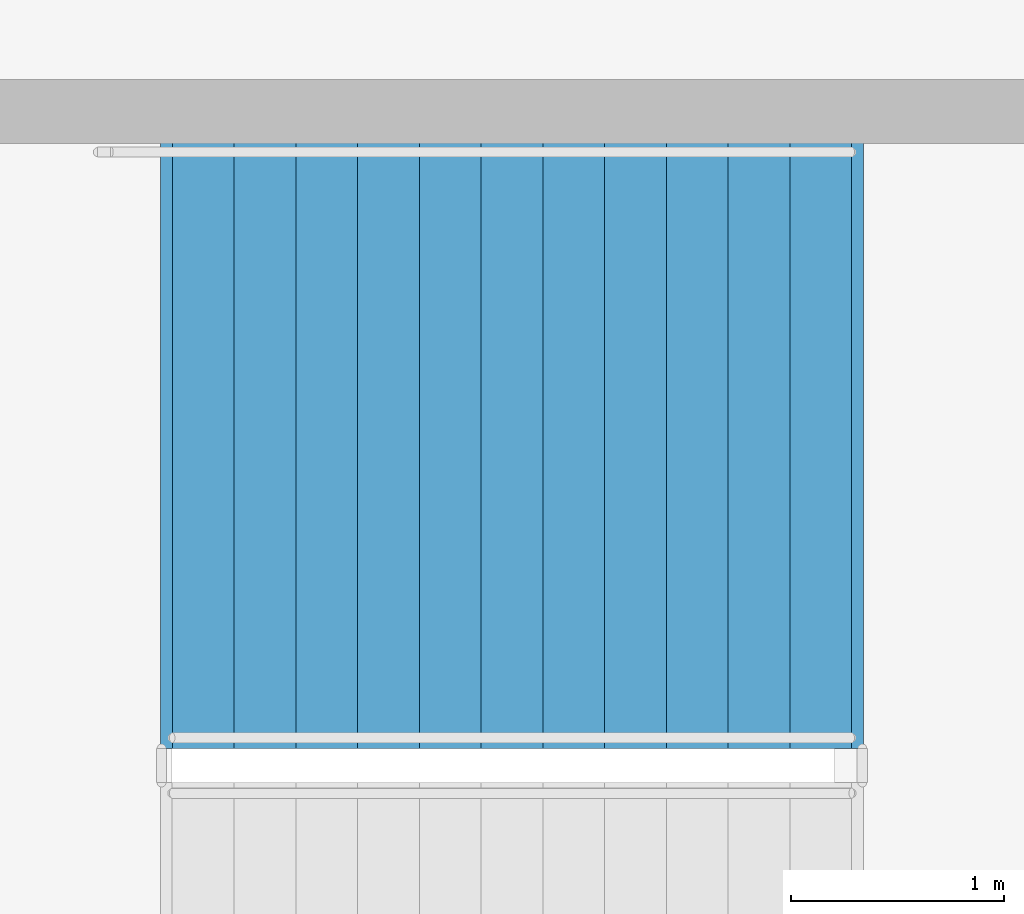
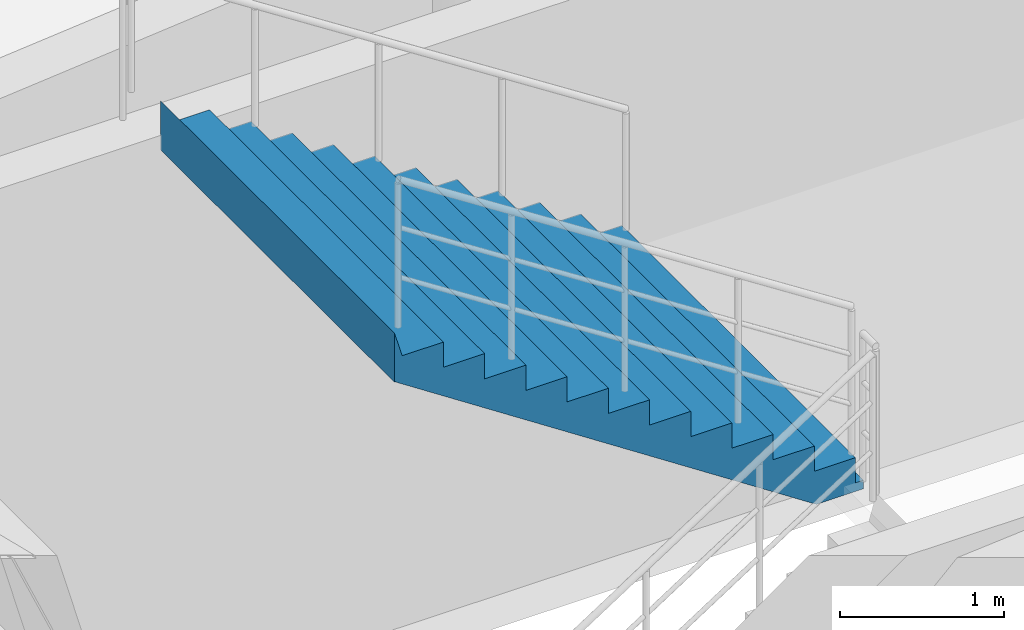
# One storey, part 97 of 112: 1 stair flight, 1 element without a shape of its own.
"""IFC4 building model written with IfcOpenShell, lengths in metres."""

from ifc_helpers import new_model, si_unit, direction, frame, origin, place, context, subcontext, project, spatial, polyline, outline, extrude, material, type_object, element, aggregate, save


model = new_model("IFC4")

# Units and contexts
model_context = context("Model", 3, precision=1e-05, world=origin(), true_north=direction((0.0, 1.0)))
body_context = subcontext(model_context, "Body", "Model", "MODEL_VIEW")
ifc_project = project(units=[si_unit("LENGTHUNIT", "METRE"), si_unit("AREAUNIT", "SQUARE_METRE"), si_unit("VOLUMEUNIT", "CUBIC_METRE"), si_unit("PLANEANGLEUNIT", "RADIAN"), si_unit("MASSUNIT", "GRAM", prefix="KILO")], contexts=[model_context])

# Site, building, storey
site_placement = place(None, origin())
site = spatial("IfcSite", under=ifc_project, at=site_placement, CompositionType="ELEMENT")
building_placement = place(site_placement, origin())
building = spatial("IfcBuilding", under=site, at=building_placement, Name="Cinderbank Siding Concert Hall", CompositionType="ELEMENT")
storey_placement = place(building_placement, frame((0.0, 0.0, 10.199951171875)))
storey = spatial("IfcBuildingStorey", under=building, at=storey_placement, Name="L03", CompositionType="ELEMENT", Elevation=10.199951171875)

# Stair, stair flight
ifc_material = material(Name="Reinforced concrete AS 3600 N50 (50 MPa)", Category="concrete")
stair_type = type_object("IfcStairType", Name="STR-J Dogleg Exit Stair 2850mm", PredefinedType="HALF_TURN_STAIR", material=ifc_material)
stair_placement = place(storey_placement, origin())
stair = element("IfcStair", 1, at=stair_placement, inside=storey, type_object=stair_type, Name="L03 Fire-isolated Exit Stair ST-01", PredefinedType="HALF_TURN_STAIR")
stair_flight_type = type_object("IfcStairFlightType", Name="SFL-J Concrete Stair Flight 2850mm", PredefinedType="STRAIGHT", material=ifc_material)
stair_flight_placement = place(storey_placement, frame((122.340087890625, 63.18505859375, 2.25), z_axis=(0.0, 0.0, 1.0), x_axis=(-1.0, 0.0, 0.0)))
stair_flight = element("IfcStairFlight", 2, at=stair_flight_placement, type_object=stair_flight_type, Name="ST-01 flight 2", NumberOfRisers=12, NumberOfTreads=11, PredefinedType="STRAIGHT", RiserHeight=0.1875, TreadLength=0.29, context=body_context, shape_type="SweptSolid", body=[
    extrude(outline(polyline([(0.0, 0.0), (0.0, 0.1875), (0.2900390625, 0.1875), (0.2900390625, 0.375), (0.580078125, 0.375), (0.580078125, 0.5625), (0.8701171875, 0.5625), (0.8701171875, 0.75), (1.159912109375, 0.75), (1.159912109375, 0.9375), (1.449951171875, 0.9375), (1.449951171875, 1.125), (1.739990234375, 1.125), (1.739990234375, 1.3125), (2.030029296875, 1.3125), (2.030029296875, 1.5), (2.320068359375, 1.5), (2.320068359375, 1.6875), (2.610107421875, 1.6875), (2.610107421875, 1.875), (2.89990234375, 1.875), (2.89990234375, 2.0625), (3.18994140625, 2.0625), (3.244873046875, 2.25), (3.244873046875, 1.884033203125), (3.24462890625, 1.88427734375), (3.24462890625, 1.884521484375), (3.24462890625, 1.884765625), (3.24462890625, 1.885009765625), (3.24462890625, 1.88525390625), (3.24462890625, 1.885498046875), (3.24462890625, 1.8857421875), (3.24462890625, 1.885986328125), (3.24462890625, 1.88623046875), (3.24462890625, 1.886474609375), (3.24462890625, 1.88671875), (3.24462890625, 1.886962890625), (3.244384765625, 1.886962890625), (3.244384765625, 1.88671875), (3.244384765625, 1.886474609375), (3.244384765625, 1.88623046875), (3.244384765625, 1.885986328125), (3.244384765625, 1.8857421875), (3.244384765625, 1.885498046875), (3.244384765625, 1.88525390625), (3.244384765625, 1.885009765625), (3.244384765625, 1.884765625), (3.244384765625, 1.884521484375), (3.244384765625, 1.88427734375), (3.244384765625, 1.884033203125), (3.244140625, 1.88427734375), (3.244140625, 1.884521484375), (3.244140625, 1.884765625), (3.244140625, 1.885009765625), (3.244140625, 1.88525390625), (3.244140625, 1.885498046875), (3.244140625, 1.8857421875), (3.244140625, 1.885986328125), (3.244140625, 1.88623046875), (3.244140625, 1.886474609375), (3.244140625, 1.88671875), (3.244140625, 1.886962890625), (3.243896484375, 1.886962890625), (3.243896484375, 1.88671875), (3.243896484375, 1.886474609375), (3.243896484375, 1.88623046875), (3.243896484375, 1.885986328125), (3.243896484375, 1.8857421875), (3.243896484375, 1.885498046875), (3.243896484375, 1.88525390625), (3.243896484375, 1.885009765625), (3.243896484375, 1.884765625), (3.243896484375, 1.884521484375), (3.243896484375, 1.88427734375), (3.243896484375, 1.884033203125), (3.24365234375, 1.88427734375), (3.24365234375, 1.884521484375), (3.24365234375, 1.884765625), (3.24365234375, 1.885009765625), (3.24365234375, 1.88525390625), (3.24365234375, 1.885498046875), (3.24365234375, 1.8857421875), (3.24365234375, 1.885986328125), (3.24365234375, 1.88623046875), (3.24365234375, 1.886474609375), (3.24365234375, 1.88671875), (3.24365234375, 1.886962890625), (3.243408203125, 1.886962890625), (3.243408203125, 1.88671875), (3.243408203125, 1.886474609375), (3.243408203125, 1.88623046875), (3.243408203125, 1.885986328125), (3.243408203125, 1.8857421875), (3.243408203125, 1.885498046875), (3.243408203125, 1.88525390625), (3.243408203125, 1.885009765625), (3.243408203125, 1.884765625), (3.243408203125, 1.884521484375), (3.243408203125, 1.88427734375), (3.243408203125, 1.884033203125), (3.2431640625, 1.88427734375), (3.2431640625, 1.884521484375), (3.2431640625, 1.884765625), (3.2431640625, 1.885009765625), (3.2431640625, 1.88525390625), (3.2431640625, 1.885498046875), (3.2431640625, 1.8857421875), (3.2431640625, 1.885986328125), (3.2431640625, 1.88623046875), (3.2431640625, 1.886474609375), (3.2431640625, 1.88671875), (3.2431640625, 1.886962890625), (3.242919921875, 1.886962890625), (3.242919921875, 1.88671875), (3.242919921875, 1.886474609375), (3.242919921875, 1.88623046875), (3.242919921875, 1.885986328125), (3.242919921875, 1.8857421875), (3.242919921875, 1.885498046875), (3.242919921875, 1.88525390625), (3.242919921875, 1.885009765625), (3.242919921875, 1.884765625), (3.242919921875, 1.884521484375), (3.242919921875, 1.88427734375), (3.242919921875, 1.884033203125), (3.24267578125, 1.88427734375), (3.24267578125, 1.884521484375), (3.24267578125, 1.884765625), (3.24267578125, 1.885009765625), (3.24267578125, 1.88525390625), (3.24267578125, 1.885498046875), (3.24267578125, 1.8857421875), (3.24267578125, 1.885986328125), (3.24267578125, 1.88623046875), (3.24267578125, 1.886474609375), (3.24267578125, 1.88671875), (3.24267578125, 1.886962890625), (3.242431640625, 1.886962890625), (3.242431640625, 1.88671875), (3.242431640625, 1.886474609375), (3.242431640625, 1.88623046875), (3.242431640625, 1.885986328125), (3.242431640625, 1.8857421875), (3.242431640625, 1.885498046875), (3.242431640625, 1.88525390625), (3.242431640625, 1.885009765625), (3.242431640625, 1.884765625), (3.242431640625, 1.884521484375), (3.242431640625, 1.88427734375), (3.242431640625, 1.884033203125), (3.2421875, 1.88427734375), (3.2421875, 1.884521484375), (3.2421875, 1.884765625), (3.2421875, 1.885009765625), (3.2421875, 1.88525390625), (3.2421875, 1.885498046875), (3.2421875, 1.8857421875), (3.2421875, 1.885986328125), (3.2421875, 1.88623046875), (3.2421875, 1.886474609375), (3.2421875, 1.88671875), (3.2421875, 1.886962890625), (3.241943359375, 1.886962890625), (3.241943359375, 1.88671875), (3.241943359375, 1.886474609375), (3.241943359375, 1.88623046875), (3.241943359375, 1.885986328125), (3.241943359375, 1.8857421875), (3.241943359375, 1.885498046875), (3.241943359375, 1.88525390625), (3.241943359375, 1.885009765625), (3.241943359375, 1.884765625), (3.241943359375, 1.884521484375), (3.241943359375, 1.88427734375), (3.241943359375, 1.884033203125), (3.24169921875, 1.88427734375), (3.24169921875, 1.884521484375), (3.24169921875, 1.884765625), (3.24169921875, 1.885009765625), (3.24169921875, 1.88525390625), (3.24169921875, 1.885498046875), (3.24169921875, 1.8857421875), (3.24169921875, 1.885986328125), (3.24169921875, 1.88623046875), (3.24169921875, 1.886474609375), (3.24169921875, 1.88671875), (3.24169921875, 1.886962890625), (3.241455078125, 1.886962890625), (3.241455078125, 1.88671875), (3.241455078125, 1.886474609375), (3.241455078125, 1.88623046875), (3.241455078125, 1.885986328125), (3.241455078125, 1.8857421875), (3.241455078125, 1.885498046875), (3.241455078125, 1.88525390625), (3.241455078125, 1.885009765625), (3.241455078125, 1.884765625), (3.241455078125, 1.884521484375), (3.241455078125, 1.88427734375), (3.241455078125, 1.884033203125), (3.2412109375, 1.88427734375), (3.2412109375, 1.884521484375), (3.2412109375, 1.884765625), (3.2412109375, 1.885009765625), (3.2412109375, 1.88525390625), (3.2412109375, 1.885498046875), (3.2412109375, 1.8857421875), (3.2412109375, 1.885986328125), (3.2412109375, 1.88623046875), (3.2412109375, 1.886474609375), (3.2412109375, 1.88671875), (3.2412109375, 1.886962890625), (3.240966796875, 1.886962890625), (3.240966796875, 1.88671875), (3.240966796875, 1.886474609375), (3.240966796875, 1.88623046875), (3.240966796875, 1.885986328125), (3.240966796875, 1.8857421875), (3.240966796875, 1.885498046875), (3.240966796875, 1.88525390625), (3.240966796875, 1.885009765625), (3.240966796875, 1.884765625), (3.240966796875, 1.884521484375), (3.240966796875, 1.88427734375), (3.240966796875, 1.884033203125), (3.24072265625, 1.88427734375), (3.24072265625, 1.884521484375), (3.24072265625, 1.884765625), (3.24072265625, 1.885009765625), (3.24072265625, 1.88525390625), (3.24072265625, 1.885498046875), (3.24072265625, 1.8857421875), (3.24072265625, 1.885986328125), (3.24072265625, 1.88623046875), (3.24072265625, 1.886474609375), (3.24072265625, 1.88671875), (3.24072265625, 1.886962890625), (3.240478515625, 1.886962890625), (3.240478515625, 1.88671875), (3.240478515625, 1.886474609375), (3.240478515625, 1.88623046875), (3.240478515625, 1.885986328125), (3.240478515625, 1.8857421875), (3.240478515625, 1.885498046875), (3.240478515625, 1.88525390625), (3.240478515625, 1.885009765625), (3.240478515625, 1.884765625), (3.240478515625, 1.884521484375), (3.240478515625, 1.88427734375), (3.240478515625, 1.884033203125), (3.240234375, 1.88427734375), (3.240234375, 1.884521484375), (3.240234375, 1.884765625), (3.240234375, 1.885009765625), (3.240234375, 1.88525390625), (3.240234375, 1.885498046875), (3.240234375, 1.8857421875), (3.240234375, 1.885986328125), (3.240234375, 1.88623046875), (3.240234375, 1.886474609375), (3.240234375, 1.88671875), (3.240234375, 1.886962890625), (3.239990234375, 1.886962890625), (3.239990234375, 1.88671875), (3.239990234375, 1.886474609375), (3.239990234375, 1.88623046875), (3.239990234375, 1.885986328125), (3.239990234375, 1.8857421875), (3.239990234375, 1.885498046875), (3.239990234375, 1.88525390625), (3.239990234375, 1.885009765625), (3.239990234375, 1.884765625), (3.239990234375, 1.884521484375), (3.239990234375, 1.88427734375), (3.239990234375, 1.884033203125), (3.23974609375, 1.88427734375), (3.23974609375, 1.884521484375), (3.23974609375, 1.884765625), (3.23974609375, 1.885009765625), (3.23974609375, 1.88525390625), (3.23974609375, 1.885498046875), (3.23974609375, 1.8857421875), (3.23974609375, 1.885986328125), (3.23974609375, 1.88623046875), (3.23974609375, 1.886474609375), (3.23974609375, 1.88671875), (3.23974609375, 1.886962890625), (3.239501953125, 1.886962890625), (3.239501953125, 1.88671875), (3.239501953125, 1.886474609375), (3.239501953125, 1.88623046875), (3.239501953125, 1.885986328125), (3.239501953125, 1.8857421875), (3.239501953125, 1.885498046875), (3.239501953125, 1.88525390625), (3.239501953125, 1.885009765625), (3.239501953125, 1.884765625), (3.239501953125, 1.884521484375), (3.239501953125, 1.88427734375), (3.239501953125, 1.884033203125), (3.2392578125, 1.88427734375), (3.2392578125, 1.884521484375), (3.2392578125, 1.884765625), (3.2392578125, 1.885009765625), (3.2392578125, 1.88525390625), (3.2392578125, 1.885498046875), (3.2392578125, 1.8857421875), (3.2392578125, 1.885986328125), (3.2392578125, 1.88623046875), (3.2392578125, 1.886474609375), (3.2392578125, 1.88671875), (3.2392578125, 1.886962890625), (3.239013671875, 1.886962890625), (3.239013671875, 1.88671875), (3.239013671875, 1.886474609375), (3.239013671875, 1.88623046875), (3.239013671875, 1.885986328125), (3.239013671875, 1.8857421875), (3.239013671875, 1.885498046875), (3.239013671875, 1.88525390625), (3.239013671875, 1.885009765625), (3.239013671875, 1.884765625), (3.239013671875, 1.884521484375), (3.239013671875, 1.88427734375), (3.239013671875, 1.884033203125), (3.23876953125, 1.88427734375), (3.23876953125, 1.884521484375), (3.23876953125, 1.884765625), (3.23876953125, 1.885009765625), (3.23876953125, 1.88525390625), (3.23876953125, 1.885498046875), (3.23876953125, 1.8857421875), (3.23876953125, 1.885986328125), (3.23876953125, 1.88623046875), (3.23876953125, 1.886474609375), (3.23876953125, 1.88671875), (3.23876953125, 1.886962890625), (3.238525390625, 1.886962890625), (3.238525390625, 1.88671875), (3.238525390625, 1.886474609375), (3.238525390625, 1.88623046875), (3.238525390625, 1.885986328125), (3.238525390625, 1.8857421875), (3.238525390625, 1.885498046875), (3.238525390625, 1.88525390625), (3.238525390625, 1.885009765625), (3.238525390625, 1.884765625), (3.238525390625, 1.884521484375), (3.238525390625, 1.88427734375), (3.238525390625, 1.884033203125), (0.276123046875, -0.06396484375), (-0.048583984375, -0.063720703125), (-0.048583984375, -0.0634765625), (-0.048583984375, -0.063232421875), (-0.048583984375, -0.06298828125), (-0.048583984375, -0.062744140625), (-0.048583984375, -0.0625), (-0.048583984375, -0.062255859375), (-0.048583984375, -0.06201171875), (-0.048583984375, -0.061767578125), (-0.048583984375, -0.0615234375), (-0.048583984375, -0.061279296875), (-0.048583984375, -0.06103515625), (-0.048828125, -0.06103515625), (-0.048828125, -0.061279296875), (-0.048828125, -0.0615234375), (-0.048828125, -0.061767578125), (-0.048828125, -0.06201171875), (-0.048828125, -0.062255859375), (-0.048828125, -0.0625), (-0.048828125, -0.062744140625), (-0.048828125, -0.06298828125), (-0.048828125, -0.063232421875), (-0.048828125, -0.0634765625), (-0.048828125, -0.063720703125), (-0.048828125, -0.06396484375), (-0.049072265625, -0.063720703125), (-0.049072265625, -0.0634765625), (-0.049072265625, -0.063232421875), (-0.049072265625, -0.06298828125), (-0.049072265625, -0.062744140625), (-0.049072265625, -0.0625), (-0.049072265625, -0.062255859375), (-0.049072265625, -0.06201171875), (-0.049072265625, -0.061767578125), (-0.049072265625, -0.0615234375), (-0.049072265625, -0.061279296875), (-0.049072265625, -0.06103515625), (-0.04931640625, -0.06103515625), (-0.04931640625, -0.061279296875), (-0.04931640625, -0.0615234375), (-0.04931640625, -0.061767578125), (-0.04931640625, -0.06201171875), (-0.04931640625, -0.062255859375), (-0.04931640625, -0.0625), (-0.04931640625, -0.062744140625), (-0.04931640625, -0.06298828125), (-0.04931640625, -0.063232421875), (-0.04931640625, -0.0634765625), (-0.04931640625, -0.063720703125), (-0.04931640625, -0.06396484375), (-0.049560546875, -0.063720703125), (-0.049560546875, -0.0634765625), (-0.049560546875, -0.063232421875), (-0.049560546875, -0.06298828125), (-0.049560546875, -0.062744140625), (-0.049560546875, -0.0625), (-0.049560546875, -0.062255859375), (-0.049560546875, -0.06201171875), (-0.049560546875, -0.061767578125), (-0.049560546875, -0.0615234375), (-0.049560546875, -0.061279296875), (-0.049560546875, -0.06103515625), (-0.0498046875, -0.06103515625), (-0.0498046875, -0.061279296875), (-0.0498046875, -0.0615234375), (-0.0498046875, -0.061767578125), (-0.0498046875, -0.06201171875), (-0.0498046875, -0.062255859375), (-0.0498046875, -0.0625), (-0.0498046875, -0.062744140625), (-0.0498046875, -0.06298828125), (-0.0498046875, -0.063232421875), (-0.0498046875, -0.0634765625), (-0.0498046875, -0.063720703125), (-0.0498046875, -0.06396484375), (-0.050048828125, -0.063720703125), (-0.050048828125, -0.0634765625), (-0.050048828125, -0.063232421875), (-0.050048828125, -0.06298828125), (-0.050048828125, -0.062744140625), (-0.050048828125, -0.0625), (-0.050048828125, -0.062255859375), (-0.050048828125, -0.06201171875), (-0.050048828125, -0.061767578125), (-0.050048828125, -0.0615234375), (-0.050048828125, -0.061279296875), (-0.050048828125, -0.06103515625), (-0.05029296875, -0.06103515625), (-0.05029296875, -0.061279296875), (-0.05029296875, -0.0615234375), (-0.05029296875, -0.061767578125), (-0.05029296875, -0.06201171875), (-0.05029296875, -0.062255859375), (-0.05029296875, -0.0625), (-0.05029296875, -0.062744140625), (-0.05029296875, -0.06298828125), (-0.05029296875, -0.063232421875), (-0.05029296875, -0.0634765625), (-0.05029296875, -0.063720703125), (-0.05029296875, -0.06396484375), (-0.050537109375, -0.063720703125), (-0.050537109375, -0.0634765625), (-0.050537109375, -0.063232421875), (-0.050537109375, -0.06298828125), (-0.050537109375, -0.062744140625), (-0.050537109375, -0.0625), (-0.050537109375, -0.062255859375), (-0.050537109375, -0.06201171875), (-0.050537109375, -0.061767578125), (-0.050537109375, -0.0615234375), (-0.050537109375, -0.061279296875), (-0.050537109375, -0.06103515625), (-0.05078125, -0.06103515625), (-0.05078125, -0.061279296875), (-0.05078125, -0.0615234375), (-0.05078125, -0.061767578125), (-0.05078125, -0.06201171875), (-0.05078125, -0.062255859375), (-0.05078125, -0.0625), (-0.05078125, -0.062744140625), (-0.05078125, -0.06298828125), (-0.05078125, -0.063232421875), (-0.05078125, -0.0634765625), (-0.05078125, -0.063720703125), (-0.05078125, -0.06396484375), (-0.051025390625, -0.063720703125), (-0.051025390625, -0.0634765625), (-0.051025390625, -0.063232421875), (-0.051025390625, -0.06298828125), (-0.051025390625, -0.062744140625), (-0.051025390625, -0.0625), (-0.051025390625, -0.062255859375), (-0.051025390625, -0.06201171875), (-0.051025390625, -0.061767578125), (-0.051025390625, -0.0615234375), (-0.051025390625, -0.061279296875), (-0.051025390625, -0.06103515625), (-0.05126953125, -0.06103515625), (-0.05126953125, -0.061279296875), (-0.05126953125, -0.0615234375), (-0.05126953125, -0.061767578125), (-0.05126953125, -0.06201171875), (-0.05126953125, -0.062255859375), (-0.05126953125, -0.0625), (-0.05126953125, -0.062744140625), (-0.05126953125, -0.06298828125), (-0.05126953125, -0.063232421875), (-0.05126953125, -0.0634765625), (-0.05126953125, -0.063720703125), (-0.05126953125, -0.06396484375), (-0.051513671875, -0.063720703125), (-0.051513671875, -0.0634765625), (-0.051513671875, -0.063232421875), (-0.051513671875, -0.06298828125), (-0.051513671875, -0.062744140625), (-0.051513671875, -0.0625), (-0.051513671875, -0.062255859375), (-0.051513671875, -0.06201171875), (-0.051513671875, -0.061767578125), (-0.051513671875, -0.0615234375), (-0.051513671875, -0.061279296875), (-0.051513671875, -0.06103515625), (-0.0517578125, -0.06103515625), (-0.0517578125, -0.061279296875), (-0.0517578125, -0.0615234375), (-0.0517578125, -0.061767578125), (-0.0517578125, -0.06201171875), (-0.0517578125, -0.062255859375), (-0.0517578125, -0.0625), (-0.0517578125, -0.062744140625), (-0.0517578125, -0.06298828125), (-0.0517578125, -0.063232421875), (-0.0517578125, -0.0634765625), (-0.0517578125, -0.063720703125), (-0.0517578125, -0.06396484375), (-0.052001953125, -0.063720703125), (-0.052001953125, -0.0634765625), (-0.052001953125, -0.063232421875), (-0.052001953125, -0.06298828125), (-0.052001953125, -0.062744140625), (-0.052001953125, -0.0625), (-0.052001953125, -0.062255859375), (-0.052001953125, -0.06201171875), (-0.052001953125, -0.061767578125), (-0.052001953125, -0.0615234375), (-0.052001953125, -0.061279296875), (-0.052001953125, -0.06103515625), (-0.05224609375, -0.06103515625), (-0.05224609375, -0.061279296875), (-0.05224609375, -0.0615234375), (-0.05224609375, -0.061767578125), (-0.05224609375, -0.06201171875), (-0.05224609375, -0.062255859375), (-0.05224609375, -0.0625), (-0.05224609375, -0.062744140625), (-0.05224609375, -0.06298828125), (-0.05224609375, -0.063232421875), (-0.05224609375, -0.0634765625), (-0.05224609375, -0.063720703125), (-0.05224609375, -0.06396484375), (-0.052490234375, -0.063720703125), (-0.052490234375, -0.0634765625), (-0.052490234375, -0.063232421875), (-0.052490234375, -0.06298828125), (-0.052490234375, -0.062744140625), (-0.052490234375, -0.0625), (-0.052490234375, -0.062255859375), (-0.052490234375, -0.06201171875), (-0.052490234375, -0.061767578125), (-0.052490234375, -0.0615234375), (-0.052490234375, -0.061279296875), (-0.052490234375, -0.06103515625), (-0.052734375, -0.06103515625), (-0.052734375, -0.061279296875), (-0.052734375, -0.0615234375), (-0.052734375, -0.061767578125), (-0.052734375, -0.06201171875), (-0.052734375, -0.062255859375), (-0.052734375, -0.0625), (-0.052734375, -0.062744140625), (-0.052734375, -0.06298828125), (-0.052734375, -0.063232421875), (-0.052734375, -0.0634765625), (-0.052734375, -0.063720703125), (-0.052734375, -0.06396484375), (-0.052978515625, -0.063720703125), (-0.052978515625, -0.0634765625), (-0.052978515625, -0.063232421875), (-0.052978515625, -0.06298828125), (-0.052978515625, -0.062744140625), (-0.052978515625, -0.0625), (-0.052978515625, -0.062255859375), (-0.052978515625, -0.06201171875), (-0.052978515625, -0.061767578125), (-0.052978515625, -0.0615234375), (-0.052978515625, -0.061279296875), (-0.052978515625, -0.06103515625), (-0.05322265625, -0.06103515625), (-0.05322265625, -0.061279296875), (-0.05322265625, -0.0615234375), (-0.05322265625, -0.061767578125), (-0.05322265625, -0.06201171875), (-0.05322265625, -0.062255859375), (-0.05322265625, -0.0625), (-0.05322265625, -0.062744140625), (-0.05322265625, -0.06298828125), (-0.05322265625, -0.063232421875), (-0.05322265625, -0.0634765625), (-0.05322265625, -0.063720703125), (-0.05322265625, -0.06396484375), (-0.053466796875, -0.063720703125), (-0.053466796875, -0.0634765625), (-0.053466796875, -0.063232421875), (-0.053466796875, -0.06298828125), (-0.053466796875, -0.062744140625), (-0.053466796875, -0.0625), (-0.053466796875, -0.062255859375), (-0.053466796875, -0.06201171875), (-0.053466796875, -0.061767578125), (-0.053466796875, -0.0615234375), (-0.053466796875, -0.061279296875), (-0.053466796875, -0.06103515625), (-0.0537109375, -0.06103515625), (-0.0537109375, -0.061279296875), (-0.0537109375, -0.0615234375), (-0.0537109375, -0.061767578125), (-0.0537109375, -0.06201171875), (-0.0537109375, -0.062255859375), (-0.0537109375, -0.0625), (-0.0537109375, -0.062744140625), (-0.0537109375, -0.06298828125), (-0.0537109375, -0.063232421875), (-0.0537109375, -0.0634765625), (-0.0537109375, -0.063720703125), (-0.0537109375, -0.06396484375), (-0.053955078125, -0.063720703125), (-0.053955078125, -0.0634765625), (-0.053955078125, -0.063232421875), (-0.053955078125, -0.06298828125), (-0.053955078125, -0.062744140625), (-0.053955078125, -0.0625), (-0.053955078125, -0.062255859375), (-0.053955078125, -0.06201171875), (-0.053955078125, -0.061767578125), (-0.053955078125, -0.0615234375), (-0.053955078125, -0.061279296875), (-0.053955078125, -0.06103515625), (-0.05419921875, -0.06103515625), (-0.05419921875, -0.061279296875), (-0.05419921875, -0.0615234375), (-0.05419921875, -0.061767578125), (-0.05419921875, -0.06201171875), (-0.05419921875, -0.062255859375), (-0.05419921875, -0.0625), (-0.05419921875, -0.062744140625), (-0.05419921875, -0.06298828125), (-0.05419921875, -0.063232421875), (-0.05419921875, -0.0634765625), (-0.05419921875, -0.063720703125), (-0.05419921875, -0.06396484375), (-0.054443359375, -0.063720703125), (-0.054443359375, -0.0634765625), (-0.054443359375, -0.063232421875), (-0.054443359375, -0.06298828125), (-0.054443359375, -0.062744140625), (-0.054443359375, -0.0625), (-0.054443359375, -0.062255859375), (-0.054443359375, -0.06201171875), (-0.054443359375, -0.061767578125), (-0.054443359375, -0.0615234375), (-0.054443359375, -0.061279296875), (-0.054443359375, -0.06103515625), (-0.0546875, -0.06103515625), (-0.0546875, -0.061279296875), (-0.0546875, -0.0615234375), (-0.0546875, -0.061767578125), (-0.0546875, -0.06201171875), (-0.0546875, -0.062255859375), (-0.0546875, -0.0625), (-0.0546875, -0.062744140625), (-0.0546875, -0.06298828125), (-0.0546875, -0.063232421875), (-0.0546875, -0.0634765625), (-0.0546875, -0.063720703125), (-0.0546875, -0.06396484375), (-0.054931640625, -0.06396484375), (-0.054931640625, 0.0), (0.0, 0.0)])), frame((0.0, 1.425048828125, 0.0), z_axis=(0.0, -1.0, 0.0), x_axis=(1.0, 0.0, 0.0)), (0.0, 0.0, 1.0), 2.85009765625),
])
aggregate(stair, [stair_flight])

save(model, "model.ifc")
